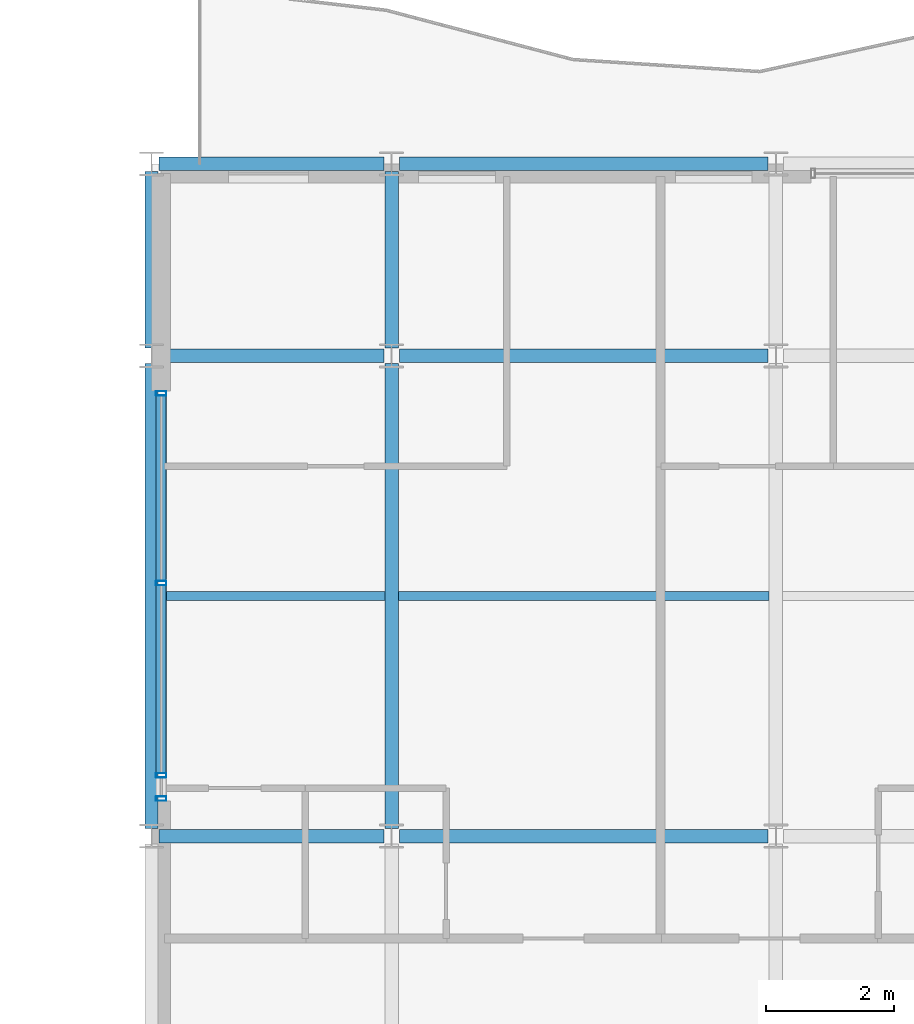
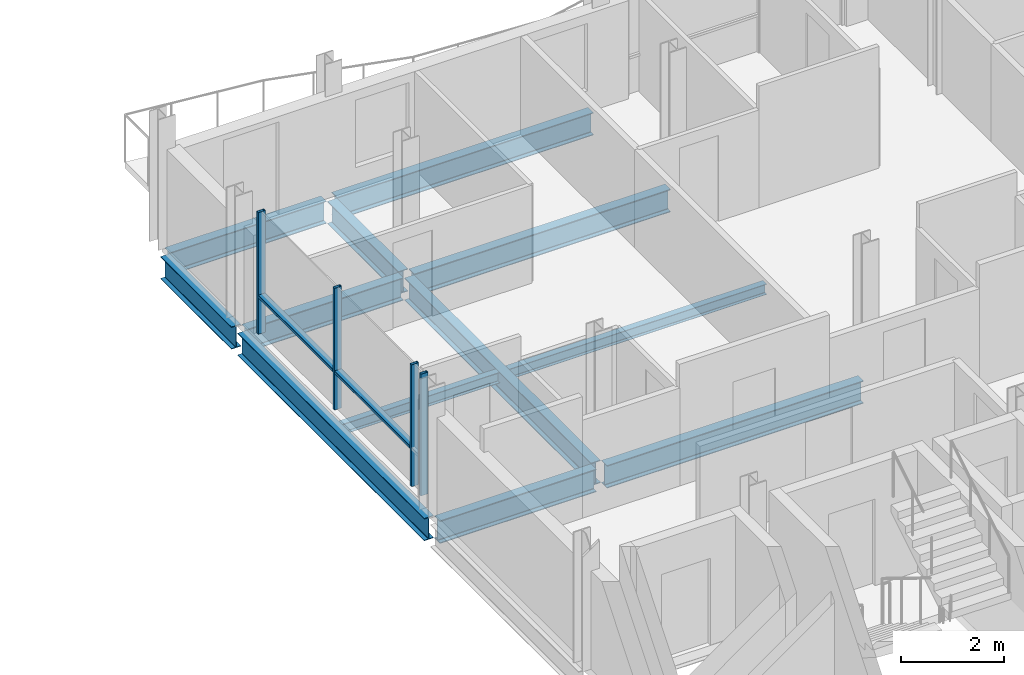
# One storey, part 12 of 29: 12 beams, 6 members, 1 element without a shape of its own.
"""IFC4 building model written with IfcOpenShell, lengths in metres."""

from ifc_helpers import new_model, si_unit, direction, frame, origin, origin_2d, place, context, subcontext, project, spatial, hollow_rectangle, i_section, extrude, material, layer, layer_set, material_profile, profile_set, type_object, element, aggregate, save


model = new_model("IFC4")

# Units and contexts
model_context = context("Model", 3, precision=1e-05, world=origin(), true_north=direction((0.0, 1.0)))
body_context = subcontext(model_context, "Body", "Model", "MODEL_VIEW")
ifc_project = project(units=[si_unit("LENGTHUNIT", "METRE"), si_unit("AREAUNIT", "SQUARE_METRE"), si_unit("VOLUMEUNIT", "CUBIC_METRE"), si_unit("PLANEANGLEUNIT", "RADIAN"), si_unit("MASSUNIT", "GRAM", prefix="KILO")], contexts=[model_context])

# Site, building, storey
site_placement = place(None, origin())
site = spatial("IfcSite", under=ifc_project, at=site_placement, CompositionType="ELEMENT")
building_placement = place(site_placement, origin())
building = spatial("IfcBuilding", under=site, at=building_placement, Name="Brevholm Reach", CompositionType="ELEMENT")
storey_placement = place(building_placement, frame((0.0, 0.0, 201.800048828125)))
storey = spatial("IfcBuildingStorey", under=building, at=storey_placement, Name="L61", CompositionType="ELEMENT", Elevation=201.800048828125)

# Beams
ifc_material_1 = material(Name="Structural Steel S355J2", Category="steel")
ifc_material_profile_1 = material_profile(ifc_material_1, i_section(OverallWidth=0.14599609375, OverallDepth=0.25146484375, WebThickness=0.006103515625, FlangeThickness=0.008544921875, FilletRadius=0.007568359375, at=origin_2d()), Name="UKB 254x146x31")
ifc_profile_set_1 = profile_set([ifc_material_profile_1], Name="Structural Steel S355J2")
beam_type_1 = type_object("IfcBeamType", Name="BM-B254", PredefinedType="BEAM", material=ifc_profile_set_1)
beam_1_placement = place(storey_placement, frame((38.354736328125, 19.75, -0.335693359375), z_axis=(1.0, 0.0, 0.0), x_axis=(0.0, 1.0, 0.0)))
element("IfcBeam", 1, at=beam_1_placement, inside=storey, type_object=beam_type_1, Name="L61 Composite Secondary Floor Beam", PredefinedType="BEAM", context=body_context, shape_type="SweptSolid", body=[
    extrude(i_section(OverallWidth=0.14599609375, OverallDepth=0.25146484375, WebThickness=0.006103515625, FlangeThickness=0.008544921875, FilletRadius=0.007568359375, at=origin_2d()), origin(), (0.0, 0.0, 1.0), 3.539794921875),
])
beam_2_placement = place(storey_placement, frame((42.10546875, 19.75, -0.335693359375), z_axis=(1.0, 0.0, 0.0), x_axis=(0.0, 1.0, 0.0)))
element("IfcBeam", 2, at=beam_2_placement, inside=storey, type_object=beam_type_1, Name="L61 Composite Secondary Floor Beam", PredefinedType="BEAM", context=body_context, shape_type="SweptSolid", body=[
    extrude(i_section(OverallWidth=0.14599609375, OverallDepth=0.25146484375, WebThickness=0.006103515625, FlangeThickness=0.008544921875, FilletRadius=0.007568359375, at=origin_2d()), origin(), (0.0, 0.0, 1.0), 5.7890625),
])
ifc_material_2 = material(Name="Structural Steel S355J2", Category="steel")
ifc_material_profile_2 = material_profile(ifc_material_2, i_section(OverallWidth=0.209228515625, OverallDepth=0.533203125, WebThickness=0.010009765625, FlangeThickness=0.015625, FilletRadius=0.0126953125, at=origin_2d()), Name="UKB 533x210x92")
ifc_profile_set_2 = profile_set([ifc_material_profile_2], Name="Structural Steel S355J2")
beam_type_2 = type_object("IfcBeamType", Name="BM-SP533", PredefinedType="SPANDREL", material=ifc_profile_set_2)
beam_3_placement = place(storey_placement, frame((38.3701171875, 26.5, -0.4765625), z_axis=(1.0, 0.0, 0.0), x_axis=(0.0, 1.0, 0.0)))
element("IfcBeam", 3, at=beam_3_placement, inside=storey, type_object=beam_type_2, Name="L61 SP-02 Framing Beam", PredefinedType="SPANDREL", context=body_context, shape_type="SweptSolid", body=[
    extrude(i_section(OverallWidth=0.209228515625, OverallDepth=0.533203125, WebThickness=0.010009765625, FlangeThickness=0.015625, FilletRadius=0.0126953125, at=origin_2d()), origin(), (0.0, 0.0, 1.0), 3.509765625),
])
beam_4_placement = place(storey_placement, frame((42.1201171875, 26.5, -0.4765625), z_axis=(1.0, 0.0, 0.0), x_axis=(0.0, 1.0, 0.0)))
element("IfcBeam", 4, at=beam_4_placement, inside=storey, type_object=beam_type_2, Name="L61 SP-02 Framing Beam", PredefinedType="SPANDREL", context=body_context, shape_type="SweptSolid", body=[
    extrude(i_section(OverallWidth=0.209228515625, OverallDepth=0.533203125, WebThickness=0.010009765625, FlangeThickness=0.015625, FilletRadius=0.0126953125, at=origin_2d()), origin(), (0.0, 0.0, 1.0), 5.759765625),
])
beam_5_placement = place(storey_placement, frame((38.25, 16.1201171875, -0.4765625), z_axis=(0.0, 1.0, 0.0), x_axis=(-1.0, 0.0, 0.0)))
element("IfcBeam", 5, at=beam_5_placement, inside=storey, type_object=beam_type_2, Name="L61 SP-02 Framing Beam", PredefinedType="SPANDREL", context=body_context, shape_type="SweptSolid", body=[
    extrude(i_section(OverallWidth=0.209228515625, OverallDepth=0.533203125, WebThickness=0.010009765625, FlangeThickness=0.015625, FilletRadius=0.0126953125, at=origin_2d()), origin(), (0.0, 0.0, 1.0), 7.259765625),
])
beam_6_placement = place(storey_placement, frame((38.25, 23.6201171875, -0.4765625), z_axis=(0.0, 1.0, 0.0), x_axis=(-1.0, 0.0, 0.0)))
element("IfcBeam", 6, at=beam_6_placement, inside=storey, type_object=beam_type_2, Name="L61 SP-02 Framing Beam", PredefinedType="SPANDREL", context=body_context, shape_type="SweptSolid", body=[
    extrude(i_section(OverallWidth=0.209228515625, OverallDepth=0.533203125, WebThickness=0.010009765625, FlangeThickness=0.015625, FilletRadius=0.0126953125, at=origin_2d()), origin(), (0.0, 0.0, 1.0), 2.759765625),
])
ifc_material_3 = material(Name="Structural Steel S355J2", Category="steel")
ifc_material_profile_3 = material_profile(ifc_material_3, i_section(OverallWidth=0.210693359375, OverallDepth=0.53955078125, WebThickness=0.01171875, FlangeThickness=0.018798828125, FilletRadius=0.0126953125, at=origin_2d()), Name="UKB 533x210x109")
ifc_profile_set_3 = profile_set([ifc_material_profile_3], Name="Structural Steel S355J2")
beam_type_3 = type_object("IfcBeamType", Name="BM-SP539", PredefinedType="SPANDREL", material=ifc_profile_set_3)
beam_7_placement = place(storey_placement, frame((38.3701171875, 16.0, -0.479736328125), z_axis=(1.0, 0.0, 0.0), x_axis=(0.0, 1.0, 0.0)))
element("IfcBeam", 7, at=beam_7_placement, inside=storey, type_object=beam_type_3, Name="L61 SP-01B Framing Beam", PredefinedType="SPANDREL", context=body_context, shape_type="SweptSolid", body=[
    extrude(i_section(OverallWidth=0.210693359375, OverallDepth=0.53955078125, WebThickness=0.01171875, FlangeThickness=0.018798828125, FilletRadius=0.0126953125, at=origin_2d()), origin(), (0.0, 0.0, 1.0), 3.509765625),
])
beam_8_placement = place(storey_placement, frame((42.1201171875, 16.0, -0.479736328125), z_axis=(1.0, 0.0, 0.0), x_axis=(0.0, 1.0, 0.0)))
element("IfcBeam", 8, at=beam_8_placement, inside=storey, type_object=beam_type_3, Name="L61 SP-01B Framing Beam", PredefinedType="SPANDREL", context=body_context, shape_type="SweptSolid", body=[
    extrude(i_section(OverallWidth=0.210693359375, OverallDepth=0.53955078125, WebThickness=0.01171875, FlangeThickness=0.018798828125, FilletRadius=0.0126953125, at=origin_2d()), origin(), (0.0, 0.0, 1.0), 5.759765625),
])
beam_9_placement = place(storey_placement, frame((38.3701171875, 23.5, -0.479736328125), z_axis=(1.0, 0.0, 0.0), x_axis=(0.0, 1.0, 0.0)))
element("IfcBeam", 9, at=beam_9_placement, inside=storey, type_object=beam_type_3, Name="L61 SP-01B Framing Beam", PredefinedType="SPANDREL", context=body_context, shape_type="SweptSolid", body=[
    extrude(i_section(OverallWidth=0.210693359375, OverallDepth=0.53955078125, WebThickness=0.01171875, FlangeThickness=0.018798828125, FilletRadius=0.0126953125, at=origin_2d()), origin(), (0.0, 0.0, 1.0), 3.509765625),
])
beam_10_placement = place(storey_placement, frame((42.1201171875, 23.5, -0.479736328125), z_axis=(1.0, 0.0, 0.0), x_axis=(0.0, 1.0, 0.0)))
element("IfcBeam", 10, at=beam_10_placement, inside=storey, type_object=beam_type_3, Name="L61 SP-01B Framing Beam", PredefinedType="SPANDREL", context=body_context, shape_type="SweptSolid", body=[
    extrude(i_section(OverallWidth=0.210693359375, OverallDepth=0.53955078125, WebThickness=0.01171875, FlangeThickness=0.018798828125, FilletRadius=0.0126953125, at=origin_2d()), origin(), (0.0, 0.0, 1.0), 5.759765625),
])
beam_11_placement = place(storey_placement, frame((42.0, 16.1201171875, -0.479736328125), z_axis=(0.0, 1.0, 0.0), x_axis=(-1.0, 0.0, 0.0)))
element("IfcBeam", 11, at=beam_11_placement, inside=storey, type_object=beam_type_3, Name="L61 SP-01B Framing Beam", PredefinedType="SPANDREL", context=body_context, shape_type="SweptSolid", body=[
    extrude(i_section(OverallWidth=0.210693359375, OverallDepth=0.53955078125, WebThickness=0.01171875, FlangeThickness=0.018798828125, FilletRadius=0.0126953125, at=origin_2d()), origin(), (0.0, 0.0, 1.0), 7.259765625),
])
beam_12_placement = place(storey_placement, frame((42.0, 23.6201171875, -0.479736328125), z_axis=(0.0, 1.0, 0.0), x_axis=(-1.0, 0.0, 0.0)))
element("IfcBeam", 12, at=beam_12_placement, inside=storey, type_object=beam_type_3, Name="L61 SP-01B Framing Beam", PredefinedType="SPANDREL", context=body_context, shape_type="SweptSolid", body=[
    extrude(i_section(OverallWidth=0.210693359375, OverallDepth=0.53955078125, WebThickness=0.01171875, FlangeThickness=0.018798828125, FilletRadius=0.0126953125, at=origin_2d()), origin(), (0.0, 0.0, 1.0), 2.759765625),
])

# Curtain wall, members
ifc_material_4 = material(Name="Dark Anodised Aluminium 6063-T6 and Solar-Control Glass", Category="aluminium")
ifc_layer = layer(ifc_material_4, 0.1650390625)
ifc_layer_set = layer_set([ifc_layer], Name="Dark Anodised Aluminium 6063-T6 and Solar-Control Glass")
curtain_wall_type = type_object("IfcCurtainWallType", Name="CW-04", PredefinedType="NOTDEFINED", material=ifc_layer_set)
curtain_wall_placement = place(storey_placement, origin())
curtain_wall = element("IfcCurtainWall", 13, at=curtain_wall_placement, inside=storey, type_object=curtain_wall_type, Name="L61 Curtain Wall CW-04", PredefinedType="NOTDEFINED")
ifc_material_5 = material(Name="Dark Anodised Aluminium 6063-T6", Category="aluminium")
ifc_material_profile_4 = material_profile(ifc_material_5, hollow_rectangle(XDim=0.070068359375, YDim=0.1650390625, WallThickness=0.0048828125, InnerFilletRadius=0.0048828125, OuterFilletRadius=0.010009765625, at=origin_2d()), Name="RHS 165x70x5")
ifc_profile_set_4 = profile_set([ifc_material_profile_4], Name="Dark Anodised Aluminium 6063-T6")
member_type_1 = type_object("IfcMemberType", Name="CWM-165", PredefinedType="MULLION", material=ifc_profile_set_4)
member_1_placement = place(storey_placement, frame((38.39990234375, 22.9150390625, 0.0), z_axis=(0.0, 0.0, 1.0), x_axis=(0.0, -1.0, 0.0)))
member_1 = element("IfcMember", 14, at=member_1_placement, type_object=member_type_1, Name="CM-165 Mullion 1", PredefinedType="MULLION", context=body_context, shape_type="SweptSolid", body=[
    extrude(hollow_rectangle(XDim=0.070068359375, YDim=0.1650390625, WallThickness=0.0048828125, InnerFilletRadius=0.0048828125, OuterFilletRadius=0.010009765625, at=origin_2d()), origin(), (0.0, 0.0, 1.0), 2.889892578125),
])
member_2_placement = place(storey_placement, frame((38.39990234375, 19.949951171875, 0.0), z_axis=(0.0, 0.0, 1.0), x_axis=(0.0, -1.0, 0.0)))
member_2 = element("IfcMember", 15, at=member_2_placement, type_object=member_type_1, Name="CM-165 Mullion 2", PredefinedType="MULLION", context=body_context, shape_type="SweptSolid", body=[
    extrude(hollow_rectangle(XDim=0.070068359375, YDim=0.1650390625, WallThickness=0.0048828125, InnerFilletRadius=0.0048828125, OuterFilletRadius=0.010009765625, at=origin_2d()), origin(), (0.0, 0.0, 1.0), 2.889892578125),
])
member_3_placement = place(storey_placement, frame((38.39990234375, 16.949951171875, 0.0), z_axis=(0.0, 0.0, 1.0), x_axis=(0.0, -1.0, 0.0)))
member_3 = element("IfcMember", 16, at=member_3_placement, type_object=member_type_1, Name="CM-165 Mullion 3", PredefinedType="MULLION", context=body_context, shape_type="SweptSolid", body=[
    extrude(hollow_rectangle(XDim=0.070068359375, YDim=0.1650390625, WallThickness=0.0048828125, InnerFilletRadius=0.0048828125, OuterFilletRadius=0.010009765625, at=origin_2d()), origin(), (0.0, 0.0, 1.0), 2.889892578125),
])
member_4_placement = place(storey_placement, frame((38.39990234375, 16.5849609375, 0.0), z_axis=(0.0, 0.0, 1.0), x_axis=(0.0, -1.0, 0.0)))
member_4 = element("IfcMember", 17, at=member_4_placement, type_object=member_type_1, Name="CM-165 Mullion 4", PredefinedType="MULLION", context=body_context, shape_type="SweptSolid", body=[
    extrude(hollow_rectangle(XDim=0.070068359375, YDim=0.1650390625, WallThickness=0.0048828125, InnerFilletRadius=0.0048828125, OuterFilletRadius=0.010009765625, at=origin_2d()), origin(), (0.0, 0.0, 1.0), 2.889892578125),
])
ifc_material_6 = material(Name="Dark Anodised Aluminium 6063-T6", Category="aluminium")
ifc_material_profile_5 = material_profile(ifc_material_6, hollow_rectangle(XDim=0.070068359375, YDim=0.1650390625, WallThickness=0.0048828125, InnerFilletRadius=0.0048828125, OuterFilletRadius=0.010009765625, at=origin_2d()), Name="RHS 165x70x5")
ifc_profile_set_5 = profile_set([ifc_material_profile_5], Name="Dark Anodised Aluminium 6063-T6")
member_type_2 = type_object("IfcMemberType", Name="CWT-165", PredefinedType="NOTDEFINED", material=ifc_profile_set_5)
member_5_placement = place(storey_placement, frame((38.39990234375, 22.8798828125, 0.89990234375), z_axis=(0.0, -1.0, 0.0), x_axis=(0.0, 0.0, 1.0)))
member_5 = element("IfcMember", 18, at=member_5_placement, type_object=member_type_2, Name="CT-165 Transom 1.1", ObjectType="TRANSOM", PredefinedType="USERDEFINED", context=body_context, shape_type="SweptSolid", body=[
    extrude(hollow_rectangle(XDim=0.070068359375, YDim=0.1650390625, WallThickness=0.0048828125, InnerFilletRadius=0.0048828125, OuterFilletRadius=0.010009765625, at=origin_2d()), origin(), (0.0, 0.0, 1.0), 2.894775390625),
])
member_6_placement = place(storey_placement, frame((38.39990234375, 19.9150390625, 0.89990234375), z_axis=(0.0, -1.0, 0.0), x_axis=(0.0, 0.0, 1.0)))
member_6 = element("IfcMember", 19, at=member_6_placement, type_object=member_type_2, Name="CT-165 Transom 2.1", ObjectType="TRANSOM", PredefinedType="USERDEFINED", context=body_context, shape_type="SweptSolid", body=[
    extrude(hollow_rectangle(XDim=0.070068359375, YDim=0.1650390625, WallThickness=0.0048828125, InnerFilletRadius=0.0048828125, OuterFilletRadius=0.010009765625, at=origin_2d()), origin(), (0.0, 0.0, 1.0), 2.929931640625),
])
aggregate(curtain_wall, [member_1, member_2, member_3, member_4, member_5, member_6])

save(model, "model.ifc")
